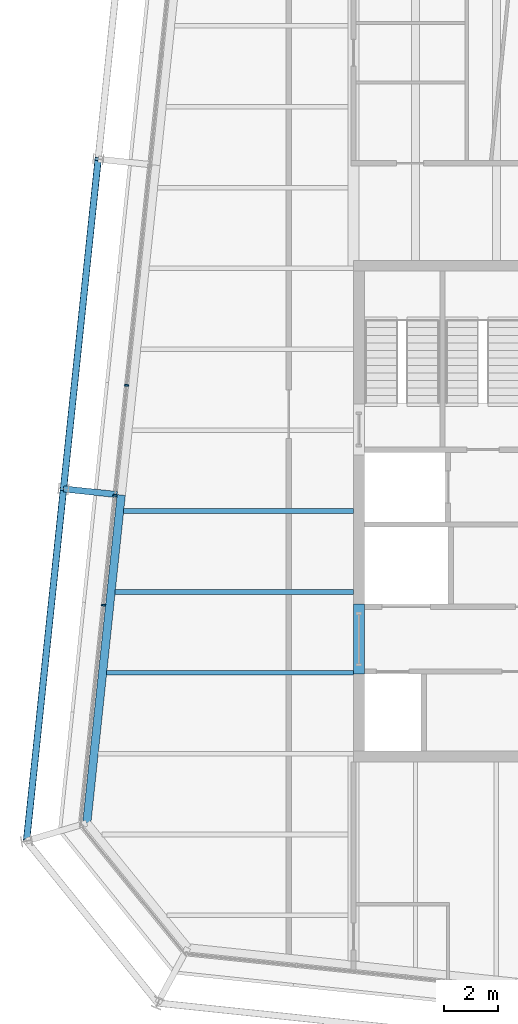
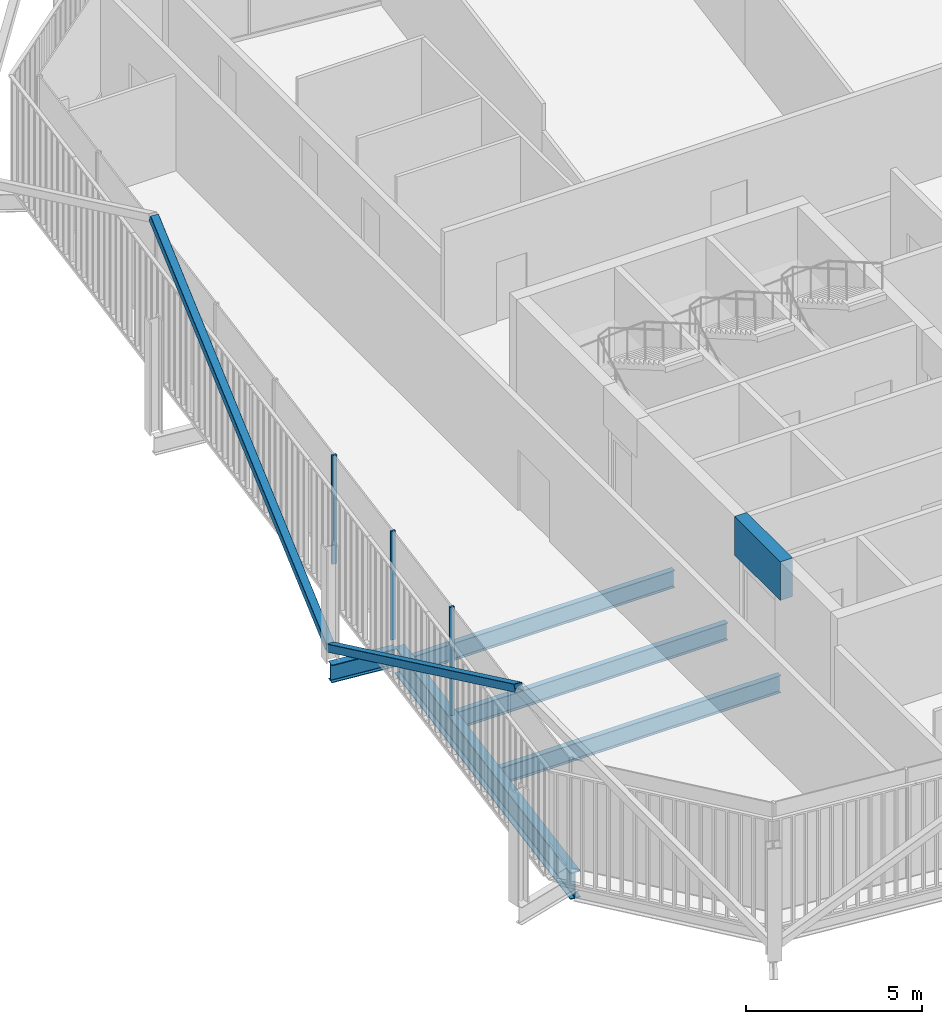
# One storey, part 6 of 21: 6 beams, 5 members, 1 element without a shape of its own.
"""IFC4 building model written with IfcOpenShell, lengths in metres."""

from ifc_helpers import new_model, si_unit, direction, frame, origin, origin_2d, place, context, subcontext, project, spatial, rectangle, hollow_rectangle, i_section, extrude, material, layer, layer_set, material_profile, profile_set, type_object, element, aggregate, save


model = new_model("IFC4")

# Units and contexts
model_context = context("Model", 3, precision=1e-05, world=origin(), true_north=direction((0.0, 1.0)))
body_context = subcontext(model_context, "Body", "Model", "MODEL_VIEW")
ifc_project = project(units=[si_unit("LENGTHUNIT", "METRE"), si_unit("AREAUNIT", "SQUARE_METRE"), si_unit("VOLUMEUNIT", "CUBIC_METRE"), si_unit("PLANEANGLEUNIT", "RADIAN"), si_unit("MASSUNIT", "GRAM", prefix="KILO")], contexts=[model_context])

# Site, building, storey
site_placement = place(None, origin())
site = spatial("IfcSite", under=ifc_project, at=site_placement, CompositionType="ELEMENT")
building_placement = place(site_placement, origin())
building = spatial("IfcBuilding", under=site, at=building_placement, Name="Millrace Tower", CompositionType="ELEMENT")
storey_placement = place(building_placement, frame((0.0, 0.0, 334.300048828125)))
storey = spatial("IfcBuildingStorey", under=building, at=storey_placement, Name="L77", CompositionType="ELEMENT", Elevation=334.300048828125)

# Curtain wall, members
ifc_material_1 = material(Name="Aluminium and glass", Category="aluminium")
ifc_layer = layer(ifc_material_1, 0.14990234375)
ifc_layer_set = layer_set([ifc_layer], Name="Aluminium and glass")
curtain_wall_type = type_object("IfcCurtainWallType", Name="CW-1 office vision curtain wall", PredefinedType="NOTDEFINED", material=ifc_layer_set)
curtain_wall_placement = place(storey_placement, origin())
curtain_wall = element("IfcCurtainWall", 1, at=curtain_wall_placement, inside=storey, type_object=curtain_wall_type, Name="Curtain wall E-F08 L77", PredefinedType="NOTDEFINED")
ifc_material_2 = material(Name="Aluminium", Category="aluminium")
ifc_material_profile_1 = material_profile(ifc_material_2, rectangle(XDim=0.06494140625, YDim=0.14990234375, at=origin_2d()))
ifc_profile_set_1 = profile_set([ifc_material_profile_1], Name="Aluminium")
member_type_1 = type_object("IfcMemberType", Name="CW-1 office vision curtain wall mullion", PredefinedType="MULLION", material=ifc_profile_set_1)
member_1_placement = place(storey_placement, frame((-22.717529296875, 4.664794921875, 0.139892578125), z_axis=(0.0, 0.0, 1.0), x_axis=(-0.104528455196, -0.994521896217, 0.0)))
member_1 = element("IfcMember", 2, at=member_1_placement, type_object=member_type_1, Name="CW1 mullion E-F08.6", PredefinedType="MULLION", context=body_context, shape_type="SweptSolid", body=[
    extrude(rectangle(XDim=0.06494140625, YDim=0.14990234375, at=origin_2d()), origin(), (0.0, 0.0, 1.0), 3.760009765625),
])
member_2_placement = place(storey_placement, frame((-23.146240234375, 0.587158203125, 0.139892578125), z_axis=(0.0, 0.0, 1.0), x_axis=(-0.104528455196, -0.994521896217, 0.0)))
member_2 = element("IfcMember", 3, at=member_2_placement, type_object=member_type_1, Name="CW1 mullion E-F08.7", PredefinedType="MULLION", context=body_context, shape_type="SweptSolid", body=[
    extrude(rectangle(XDim=0.06494140625, YDim=0.14990234375, at=origin_2d()), origin(), (0.0, 0.0, 1.0), 3.760009765625),
])
member_3_placement = place(storey_placement, frame((-23.57470703125, -3.490234375, 0.139892578125), z_axis=(0.0, 0.0, 1.0), x_axis=(-0.104528455196, -0.994521896217, 0.0)))
member_3 = element("IfcMember", 4, at=member_3_placement, type_object=member_type_1, Name="CW1 mullion E-F08.8", PredefinedType="MULLION", context=body_context, shape_type="SweptSolid", body=[
    extrude(rectangle(XDim=0.06494140625, YDim=0.14990234375, at=origin_2d()), origin(), (0.0, 0.0, 1.0), 3.760009765625),
])
aggregate(curtain_wall, [member_1, member_2, member_3])

# Beam
ifc_material_3 = material(Name="Concrete C60", Category="concrete")
ifc_material_profile_2 = material_profile(ifc_material_3, rectangle(XDim=0.39990234375, YDim=1.340087890625, at=origin_2d()))
ifc_profile_set_2 = profile_set([ifc_material_profile_2], Name="Concrete C60")
beam_type_1 = type_object("IfcBeamType", Name="Coupling beam 400 x 1340 Concrete C60, 2000 opening", PredefinedType="BEAM", material=ifc_profile_set_2)
beam_1_placement = place(storey_placement, frame((-14.10009765625, -6.050048828125, 3.070068359375), z_axis=(0.0, 1.0, 0.0), x_axis=(-1.0, 0.0, 0.0)))
element("IfcBeam", 5, at=beam_1_placement, inside=storey, type_object=beam_type_1, Name="Coupling beam W L77", PredefinedType="BEAM", context=body_context, shape_type="SweptSolid", body=[
    extrude(rectangle(XDim=0.39990234375, YDim=1.340087890625, at=origin_2d()), origin(), (0.0, 0.0, 1.0), 2.60009765625),
])

# Members
ifc_material_4 = material(Name="Steel ASTM A500 Grade C", Category="steel")
ifc_material_profile_3 = material_profile(ifc_material_4, hollow_rectangle(XDim=0.25390625, YDim=0.25390625, WallThickness=0.009521484375, InnerFilletRadius=0.004638671875, OuterFilletRadius=0.014404296875, at=origin_2d()))
ifc_profile_set_3 = profile_set([ifc_material_profile_3], Name="Steel ASTM A500 Grade C")
member_type_2 = type_object("IfcMemberType", Name="Exoskeleton brace HSS10x10x3/8", PredefinedType="BRACE", material=ifc_profile_set_3)
member_4_placement = place(storey_placement, frame((-25.057373046875, 0.82080078125, 0.39990234375), z_axis=(0.090859841027, 0.864350167962, 0.494614270348), x_axis=(-0.994520342986, 0.104543232143, 0.0)))
element("IfcMember", 6, at=member_4_placement, inside=storey, type_object=member_type_2, Name="BRC-E-L77-15", PredefinedType="BRACE", context=body_context, shape_type="SweptSolid", body=[
    extrude(hollow_rectangle(XDim=0.25390625, YDim=0.25390625, WallThickness=0.009521484375, InnerFilletRadius=0.004638671875, OuterFilletRadius=0.014404296875, at=origin_2d()), origin(), (0.0, 0.0, 1.0), 14.15234375),
])
member_5_placement = place(storey_placement, frame((-25.057373046875, 0.82080078125, 0.39990234375), z_axis=(-0.092220680702, -0.877573310314, 0.47048956532), x_axis=(0.994523779096, -0.104510539239, 0.0)))
element("IfcMember", 7, at=member_5_placement, inside=storey, type_object=member_type_2, Name="BRC-E-L77-16", PredefinedType="BRACE", context=body_context, shape_type="SweptSolid", body=[
    extrude(hollow_rectangle(XDim=0.25390625, YDim=0.25390625, WallThickness=0.009521484375, InnerFilletRadius=0.004638671875, OuterFilletRadius=0.014404296875, at=origin_2d()), origin(), (0.0, 0.0, 1.0), 14.878173828125),
])

# Beams
ifc_material_5 = material(Name="Steel ASTM A992 Grade 50", Category="steel")
ifc_material_profile_4 = material_profile(ifc_material_5, i_section(OverallWidth=0.177978515625, OverallDepth=0.599365234375, WebThickness=0.010009765625, FlangeThickness=0.012939453125, FilletRadius=0.012939453125, at=origin_2d()))
ifc_profile_set_4 = profile_set([ifc_material_profile_4], Name="Steel ASTM A992 Grade 50")
beam_type_2 = type_object("IfcBeamType", Name="Floor beam W24x55", PredefinedType="JOIST", material=ifc_profile_set_4)
beam_2_placement = place(storey_placement, frame((-23.4541015625, -6.0, -0.459716796875), z_axis=(1.0, 0.0, 0.0), x_axis=(0.0, 1.0, 0.0)))
element("IfcBeam", 8, at=beam_2_placement, inside=storey, type_object=beam_type_2, Name="BM-E-L77-S1-S009", PredefinedType="JOIST", context=body_context, shape_type="SweptSolid", body=[
    extrude(i_section(OverallWidth=0.177978515625, OverallDepth=0.599365234375, WebThickness=0.010009765625, FlangeThickness=0.012939453125, FilletRadius=0.012939453125, at=origin_2d()), origin(), (0.0, 0.0, 1.0), 9.154052734375),
])
beam_3_placement = place(storey_placement, frame((-23.138916015625, -3.0, -0.459716796875), z_axis=(1.0, 0.0, 0.0), x_axis=(0.0, 1.0, 0.0)))
element("IfcBeam", 9, at=beam_3_placement, inside=storey, type_object=beam_type_2, Name="BM-E-L77-S1-S012", PredefinedType="JOIST", context=body_context, shape_type="SweptSolid", body=[
    extrude(i_section(OverallWidth=0.177978515625, OverallDepth=0.599365234375, WebThickness=0.010009765625, FlangeThickness=0.012939453125, FilletRadius=0.012939453125, at=origin_2d()), origin(), (0.0, 0.0, 1.0), 8.8388671875),
])
beam_4_placement = place(storey_placement, frame((-22.823486328125, 0.0, -0.459716796875), z_axis=(1.0, 0.0, 0.0), x_axis=(0.0, 1.0, 0.0)))
element("IfcBeam", 10, at=beam_4_placement, inside=storey, type_object=beam_type_2, Name="BM-E-L77-S1-S015", PredefinedType="JOIST", context=body_context, shape_type="SweptSolid", body=[
    extrude(i_section(OverallWidth=0.177978515625, OverallDepth=0.599365234375, WebThickness=0.010009765625, FlangeThickness=0.012939453125, FilletRadius=0.012939453125, at=origin_2d()), origin(), (0.0, 0.0, 1.0), 8.5234375),
])
ifc_material_6 = material(Name="Steel ASTM A992 Grade 50", Category="steel")
ifc_material_profile_5 = material_profile(ifc_material_6, i_section(OverallWidth=0.23046875, OverallDepth=0.6171875, WebThickness=0.01318359375, FlangeThickness=0.022216796875, FilletRadius=0.012939453125, at=origin_2d()))
ifc_profile_set_5 = profile_set([ifc_material_profile_5], Name="Steel ASTM A992 Grade 50")
beam_type_3 = type_object("IfcBeamType", Name="Link beam W24x94", PredefinedType="BEAM", material=ifc_profile_set_5)
beam_5_placement = place(storey_placement, frame((-23.068115234375, 0.61181640625, -0.46875), z_axis=(-0.994526834051, 0.104481464157, 0.0), x_axis=(-0.104481464157, -0.994526834051, 0.0)))
element("IfcBeam", 11, at=beam_5_placement, inside=storey, type_object=beam_type_3, Name="LNK-E-L77-S1-02", PredefinedType="BEAM", context=body_context, shape_type="SweptSolid", body=[
    extrude(i_section(OverallWidth=0.23046875, OverallDepth=0.6171875, WebThickness=0.01318359375, FlangeThickness=0.022216796875, FilletRadius=0.012939453125, at=origin_2d()), origin(), (0.0, 0.0, 1.0), 2.000244140625),
])
ifc_material_7 = material(Name="Steel ASTM A992 Grade 50", Category="steel")
ifc_material_profile_6 = material_profile(ifc_material_7, i_section(OverallWidth=0.307373046875, OverallDepth=0.927001953125, WebThickness=0.01953125, FlangeThickness=0.031982421875, FilletRadius=0.01904296875, at=origin_2d()))
ifc_profile_set_6 = profile_set([ifc_material_profile_6], Name="Steel ASTM A992 Grade 50")
beam_type_4 = type_object("IfcBeamType", Name="Ring beam medium span W36x194", PredefinedType="SPANDREL", material=ifc_profile_set_6)
beam_6_placement = place(storey_placement, frame((-24.1943359375, -11.57373046875, -0.62353515625), z_axis=(0.104527955888, 0.994521948696, 0.0), x_axis=(-0.994521948696, 0.104527955888, 0.0)))
element("IfcBeam", 12, at=beam_6_placement, inside=storey, type_object=beam_type_4, Name="RNG-E-L77-S1-01", PredefinedType="SPANDREL", context=body_context, shape_type="SweptSolid", body=[
    extrude(i_section(OverallWidth=0.307373046875, OverallDepth=0.927001953125, WebThickness=0.01953125, FlangeThickness=0.031982421875, FilletRadius=0.01904296875, at=origin_2d()), origin(), (0.0, 0.0, 1.0), 12.236572265625),
])

save(model, "model.ifc")
